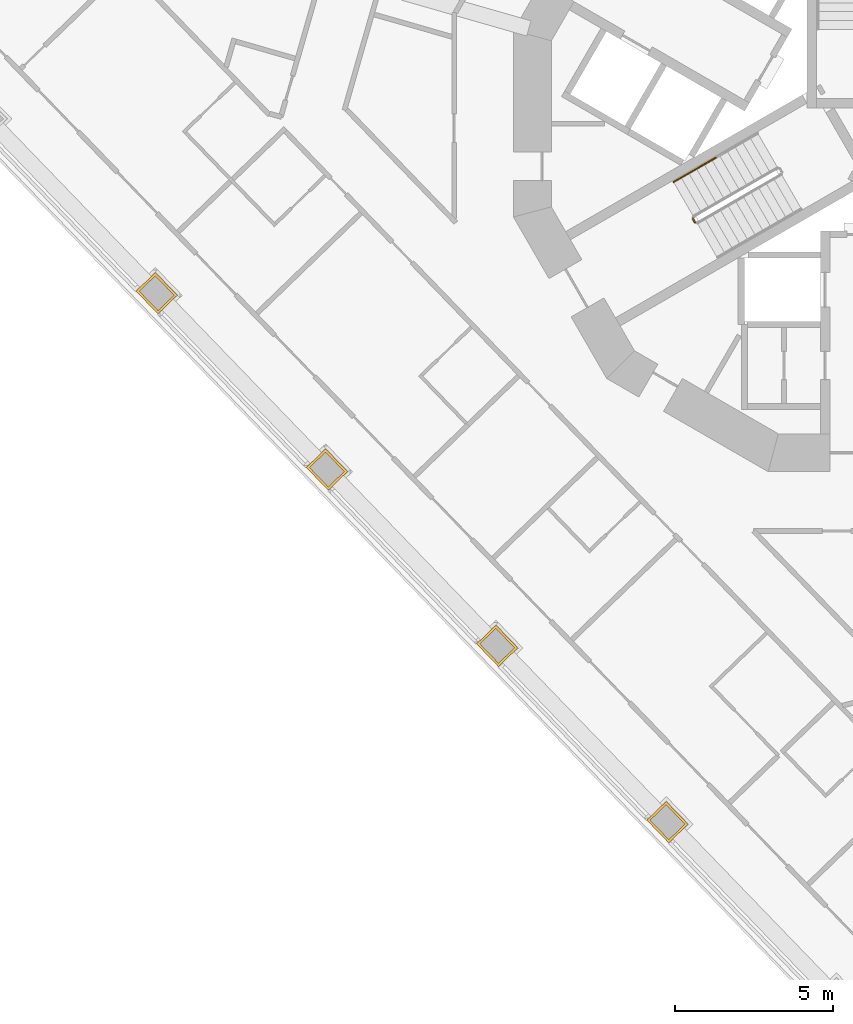
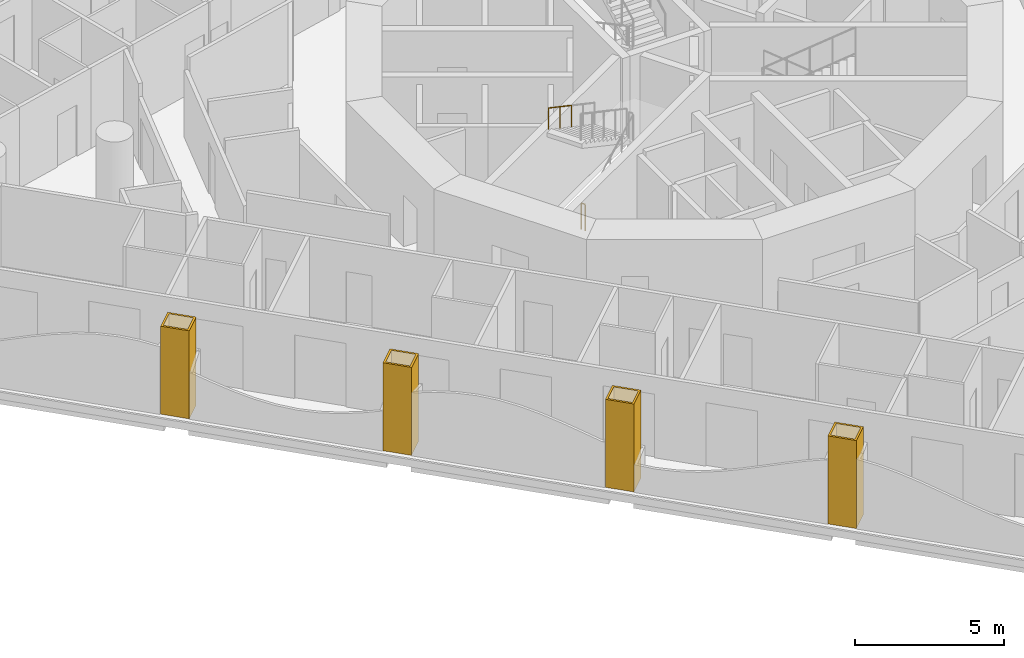
# One storey, part 13 of 20: 4 coverings, 2 railings.
"""IFC4 building model written with IfcOpenShell, lengths in metres."""

from ifc_helpers import new_model, si_unit, direction, frame, origin, origin_2d, place, context, subcontext, project, spatial, polyline, circle, outline, extrude, material, layer, layer_set, type_object, element, save


model = new_model("IFC4")

# Units and contexts
model_context = context("Model", 3, precision=1e-05, world=origin(), true_north=direction((0.0, 1.0)))
body_context = subcontext(model_context, "Body", "Model", "MODEL_VIEW")
ifc_project = project(units=[si_unit("LENGTHUNIT", "METRE"), si_unit("AREAUNIT", "SQUARE_METRE"), si_unit("VOLUMEUNIT", "CUBIC_METRE"), si_unit("PLANEANGLEUNIT", "RADIAN"), si_unit("MASSUNIT", "GRAM", prefix="KILO")], contexts=[model_context])

# Site, building, storey
site_placement = place(None, origin())
site = spatial("IfcSite", under=ifc_project, at=site_placement, CompositionType="ELEMENT")
building_placement = place(site_placement, origin())
building = spatial("IfcBuilding", under=site, at=building_placement, Name="Trine Commons Tower", CompositionType="ELEMENT")
storey_placement = place(building_placement, frame((0.0, 0.0, 108.89990234375)))
storey = spatial("IfcBuildingStorey", under=building, at=storey_placement, Name="L27", CompositionType="ELEMENT", Elevation=108.89990234375)

# Coverings
ifc_material_1 = material(Name="Limestone, honed", Category="masonry")
ifc_layer = layer(ifc_material_1, 0.074951171875)
ifc_layer_set = layer_set([ifc_layer], Name="Limestone, honed")
covering_type = type_object("IfcCoveringType", Name="Limestone column cladding 75", PredefinedType="CLADDING", material=ifc_layer_set)
covering_1_placement = place(storey_placement, origin())
element("IfcCovering", 1, at=covering_1_placement, inside=storey, type_object=covering_type, Name="Limestone pier cladding 3-03", PredefinedType="CLADDING", context=body_context, shape_type="SweptSolid", body=[
    extrude(outline(polyline([(73.8212890625, 41.0517578125), (73.209716796875, 40.461181640625), (73.904296875, 39.741943359375), (74.515869140625, 40.33251953125), (73.8212890625, 41.0517578125)]), holes=[polyline([(73.8193359375, 40.945556640625), (73.31591796875, 40.45947265625), (73.90625, 39.847900390625), (74.409912109375, 40.334228515625), (73.8193359375, 40.945556640625)])]), origin(), (0.0, 0.0, 1.0), 3.60009765625),
])
covering_2_placement = place(storey_placement, origin())
element("IfcCovering", 2, at=covering_2_placement, inside=storey, type_object=covering_type, Name="Limestone pier cladding 3-04", PredefinedType="CLADDING", context=body_context, shape_type="SweptSolid", body=[
    extrude(outline(polyline([(68.432373046875, 46.632080078125), (67.82080078125, 46.04150390625), (68.515380859375, 45.322265625), (69.126953125, 45.912841796875), (68.432373046875, 46.632080078125)]), holes=[polyline([(68.430419921875, 46.52587890625), (67.927001953125, 46.039794921875), (68.517333984375, 45.428466796875), (69.02099609375, 45.91455078125), (68.430419921875, 46.52587890625)])]), origin(), (0.0, 0.0, 1.0), 3.60009765625),
])
covering_3_placement = place(storey_placement, origin())
element("IfcCovering", 3, at=covering_3_placement, inside=storey, type_object=covering_type, Name="Limestone pier cladding 3-05", PredefinedType="CLADDING", context=body_context, shape_type="SweptSolid", body=[
    extrude(outline(polyline([(63.04345703125, 52.21240234375), (62.431884765625, 51.6220703125), (63.126708984375, 50.902587890625), (63.738037109375, 51.4931640625), (63.04345703125, 52.21240234375)]), holes=[polyline([(63.04150390625, 52.1064453125), (62.5380859375, 51.6201171875), (63.12841796875, 51.0087890625), (63.632080078125, 51.4951171875), (63.04150390625, 52.1064453125)])]), origin(), (0.0, 0.0, 1.0), 3.60009765625),
])
covering_4_placement = place(storey_placement, origin())
element("IfcCovering", 4, at=covering_4_placement, inside=storey, type_object=covering_type, Name="Limestone pier cladding 3-06", PredefinedType="CLADDING", context=body_context, shape_type="SweptSolid", body=[
    extrude(outline(polyline([(57.654296875, 57.792724609375), (57.04296875, 57.202392578125), (57.737548828125, 56.48291015625), (58.34912109375, 57.073486328125), (57.654296875, 57.792724609375)]), holes=[polyline([(57.652587890625, 57.686767578125), (57.14892578125, 57.200439453125), (57.739501953125, 56.589111328125), (58.242919921875, 57.0751953125), (57.652587890625, 57.686767578125)])]), origin(), (0.0, 0.0, 1.0), 3.60009765625),
])

# Railings
ifc_material_2 = material(Name="Stainless steel balustrade", Category="steel")
railing_type_1 = type_object("IfcRailingType", Name="Stair guard, steel balustrade 1100", PredefinedType="GUARDRAIL", material=ifc_material_2)
railing_1_placement = place(storey_placement, frame((74.73681640625, 59.374755859375, 0.0)))
element("IfcRailing", 5, at=railing_1_placement, inside=storey, type_object=railing_type_1, Name="L27 ST2A stair guard 4", PredefinedType="GUARDRAIL", context=body_context, shape_type="SweptSolid", body=[
    extrude(circle(Radius=0.02392578125, at=origin_2d()), frame((0.0, 0.0, 1.076171875), z_axis=(-0.499816412211, 0.866131372301, 0.0), x_axis=(-0.866131372301, -0.499816412211, 0.0)), (0.0, 0.0, 1.0), 0.14990234375),
    extrude(circle(Radius=0.02099609375, at=origin_2d()), origin(), (0.0, 0.0, 1.0), 1.052001953125),
    extrude(circle(Radius=0.02099609375, at=origin_2d()), frame((-0.074951171875, 0.1298828125, 0.0)), (0.0, 0.0, 1.0), 1.052001953125),
])
ifc_material_3 = material(Name="Stainless steel handrail", Category="steel")
railing_type_2 = type_object("IfcRailingType", Name="Stair handrail, steel 900", PredefinedType="HANDRAIL", material=ifc_material_3)
railing_2_placement = place(storey_placement, frame((75.388916015625, 61.425537109375, 2.775146484375)))
element("IfcRailing", 6, at=railing_2_placement, inside=storey, type_object=railing_type_2, Name="L27 ST2A stair handrail 4", PredefinedType="HANDRAIL", context=body_context, shape_type="SweptSolid", body=[
    extrude(circle(Radius=0.02099609375, at=origin_2d()), frame((0.0, 0.0, 0.87890625), z_axis=(-0.76340495495, -0.440743040072, 0.472184759798), x_axis=(0.499992328818, -0.866029832698, 0.0)), (0.0, 0.0, 1.0), 1.7470703125),
    extrude(circle(Radius=0.01513671875, at=origin_2d()), origin(), (0.0, 0.0, 1.0), 0.85791015625),
    extrude(circle(Radius=0.01513671875, at=origin_2d()), frame((-0.6669921875, -0.385009765625, 0.41259765625)), (0.0, 0.0, 1.0), 0.85791015625),
    extrude(circle(Radius=0.01513671875, at=origin_2d()), frame((-1.333740234375, -0.77001953125, 0.824951171875)), (0.0, 0.0, 1.0), 0.85791015625),
])

save(model, "model.ifc")
